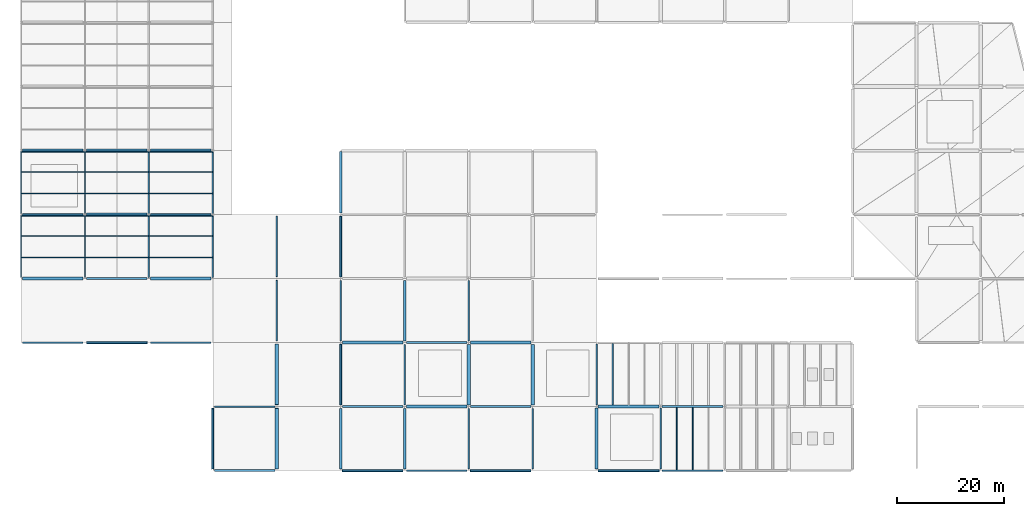
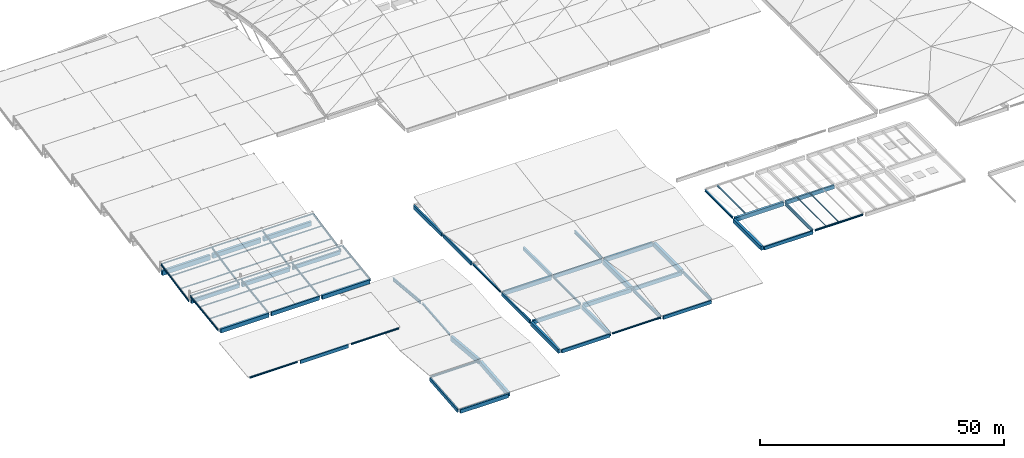
# One storey, part 7 of 23: 65 beams, 12 members.
"""IFC4 building model written with IfcOpenShell, lengths in metres."""

from ifc_helpers import new_model, si_unit, direction, frame, origin, origin_2d, place, context, subcontext, project, spatial, rectangle, i_section, extrude, material, material_profile, profile_set, type_object, element, save


model = new_model("IFC4")

# Units and contexts
model_context = context("Model", 3, precision=1e-05, world=origin(), true_north=direction((0.0, 1.0)))
body_context = subcontext(model_context, "Body", "Model", "MODEL_VIEW")
ifc_project = project(units=[si_unit("LENGTHUNIT", "METRE"), si_unit("AREAUNIT", "SQUARE_METRE"), si_unit("VOLUMEUNIT", "CUBIC_METRE"), si_unit("PLANEANGLEUNIT", "RADIAN"), si_unit("MASSUNIT", "GRAM", prefix="KILO")], contexts=[model_context])

# Site, building, storey
site_placement = place(None, origin())
site = spatial("IfcSite", under=ifc_project, at=site_placement, CompositionType="ELEMENT")
building_placement = place(site_placement, origin())
building = spatial("IfcBuilding", under=site, at=building_placement, Name="Kamomehara Wholesale Market", CompositionType="ELEMENT")
storey_placement = place(building_placement, frame((0.0, 0.0, 21.0)))
storey = spatial("IfcBuildingStorey", under=building, at=storey_placement, Name="RF", CompositionType="ELEMENT", Elevation=21.0)

# Beams
ifc_material_1 = material(Name="Precast concrete Fc45 (C40/50)", Category="concrete")
ifc_material_profile_1 = material_profile(ifc_material_1, rectangle(XDim=0.5, YDim=1.0, at=origin_2d()), Name="PC-GRD-500x1000")
ifc_profile_set_1 = profile_set([ifc_material_profile_1], Name="Precast concrete Fc45 (C40/50)")
beam_type_1 = type_object("IfcBeamType", Name="BM-PG1000", PredefinedType="T_BEAM", material=ifc_profile_set_1)
beam_1_placement = place(storey_placement, frame((72.0, 12.324951171875, -9.699951171875), z_axis=(0.0, 1.0, 0.0), x_axis=(-1.0, 0.0, 0.0)))
element("IfcBeam", 1, at=beam_1_placement, inside=storey, type_object=beam_type_1, Name="Beam PG-09 RF", PredefinedType="T_BEAM", context=body_context, shape_type="SweptSolid", body=[
    extrude(rectangle(XDim=0.5, YDim=1.0, at=origin_2d()), origin(), (0.0, 0.0, 1.0), 11.35009765625),
])
ifc_material_2 = material(Name="Precast concrete Fc45 (C40/50)", Category="concrete")
ifc_material_profile_2 = material_profile(ifc_material_2, rectangle(XDim=0.550048828125, YDim=1.050048828125, at=origin_2d()), Name="PC-GRD-550x1050")
ifc_profile_set_2 = profile_set([ifc_material_profile_2], Name="Precast concrete Fc45 (C40/50)")
beam_type_2 = type_object("IfcBeamType", Name="BM-PG1050", PredefinedType="T_BEAM", material=ifc_profile_set_2)
beam_2_placement = place(storey_placement, frame((24.340087890625, 72.0, -5.324951171875), z_axis=(1.0, 0.0, 0.0), x_axis=(0.0, 1.0, 0.0)))
element("IfcBeam", 2, at=beam_2_placement, inside=storey, type_object=beam_type_2, Name="Beam PG-08 RF", PredefinedType="T_BEAM", context=body_context, shape_type="SweptSolid", body=[
    extrude(rectangle(XDim=0.550048828125, YDim=1.050048828125, at=origin_2d()), origin(), (0.0, 0.0, 1.0), 11.31982421875),
])
ifc_material_3 = material(Name="Precast concrete Fc45 (C40/50)", Category="concrete")
ifc_material_profile_3 = material_profile(ifc_material_3, rectangle(XDim=0.60009765625, YDim=1.10009765625, at=origin_2d()), Name="PC-GRD-600x1100")
ifc_profile_set_3 = profile_set([ifc_material_profile_3], Name="Precast concrete Fc45 (C40/50)")
beam_type_3 = type_object("IfcBeamType", Name="BM-PG1100", PredefinedType="T_BEAM", material=ifc_profile_set_3)
beam_3_placement = place(storey_placement, frame((48.0, 12.324951171875, -16.337890625), z_axis=(0.0, 0.995749772645, 0.092099892931), x_axis=(-1.0, 0.0, 0.0)))
element("IfcBeam", 3, at=beam_3_placement, inside=storey, type_object=beam_type_3, Name="Beam PG-07 RF", PredefinedType="T_BEAM", context=body_context, shape_type="SweptSolid", body=[
    extrude(rectangle(XDim=0.60009765625, YDim=1.10009765625, at=origin_2d()), origin(), (0.0, 0.0, 1.0), 11.3984375),
])
beam_4_placement = place(storey_placement, frame((96.0, 24.324951171875, -9.75), z_axis=(0.0, 1.0, 0.0), x_axis=(-1.0, 0.0, 0.0)))
element("IfcBeam", 4, at=beam_4_placement, inside=storey, type_object=beam_type_3, Name="Beam PG-07 RF", PredefinedType="T_BEAM", context=body_context, shape_type="SweptSolid", body=[
    extrude(rectangle(XDim=0.60009765625, YDim=1.10009765625, at=origin_2d()), origin(), (0.0, 0.0, 1.0), 11.35009765625),
])
beam_5_placement = place(storey_placement, frame((12.340087890625, 72.0, -5.35009765625), z_axis=(1.0, 0.0, 0.0), x_axis=(0.0, 1.0, 0.0)))
element("IfcBeam", 5, at=beam_5_placement, inside=storey, type_object=beam_type_3, Name="Beam PG-07 RF", PredefinedType="T_BEAM", context=body_context, shape_type="SweptSolid", body=[
    extrude(rectangle(XDim=0.60009765625, YDim=1.10009765625, at=origin_2d()), origin(), (0.0, 0.0, 1.0), 11.31982421875),
])
ifc_material_4 = material(Name="Precast concrete Fc45 (C40/50)", Category="concrete")
ifc_material_profile_4 = material_profile(ifc_material_4, rectangle(XDim=0.580078125, YDim=1.179931640625, at=origin_2d()), Name="PC-GRD-580x1180")
ifc_profile_set_4 = profile_set([ifc_material_profile_4], Name="Precast concrete Fc45 (C40/50)")
beam_type_4 = type_object("IfcBeamType", Name="BM-PG1180", PredefinedType="T_BEAM", material=ifc_profile_set_4)
beam_6_placement = place(storey_placement, frame((0.340087890625, 72.0, -5.389892578125), z_axis=(1.0, 0.0, 0.0), x_axis=(0.0, 1.0, 0.0)))
element("IfcBeam", 6, at=beam_6_placement, inside=storey, type_object=beam_type_4, Name="Beam PG-14 RF", PredefinedType="T_BEAM", context=body_context, shape_type="SweptSolid", body=[
    extrude(rectangle(XDim=0.580078125, YDim=1.179931640625, at=origin_2d()), origin(), (0.0, 0.0, 1.0), 11.31982421875),
])
ifc_material_5 = material(Name="Precast concrete Fc45 (C40/50)", Category="concrete")
ifc_material_profile_5 = material_profile(ifc_material_5, rectangle(XDim=0.60009765625, YDim=1.199951171875, at=origin_2d()), Name="PC-GRD-600x1200")
ifc_profile_set_5 = profile_set([ifc_material_profile_5], Name="Precast concrete Fc45 (C40/50)")
beam_type_5 = type_object("IfcBeamType", Name="BM-PG1200", PredefinedType="T_BEAM", material=ifc_profile_set_5)
beam_7_placement = place(storey_placement, frame((48.0, 24.324951171875, -15.3369140625), z_axis=(0.0, 0.995747808157, -0.092121129767), x_axis=(-1.0, 0.0, 0.0)))
element("IfcBeam", 7, at=beam_7_placement, inside=storey, type_object=beam_type_5, Name="Beam PG-05 RF", PredefinedType="T_BEAM", context=body_context, shape_type="SweptSolid", body=[
    extrude(rectangle(XDim=0.60009765625, YDim=1.199951171875, at=origin_2d()), origin(), (0.0, 0.0, 1.0), 11.398681640625),
])
ifc_material_6 = material(Name="Precast concrete Fc45 (C40/50)", Category="concrete")
ifc_material_profile_6 = material_profile(ifc_material_6, rectangle(XDim=0.64990234375, YDim=1.25, at=origin_2d()), Name="PC-GRD-650x1250")
ifc_profile_set_6 = profile_set([ifc_material_profile_6], Name="Precast concrete Fc45 (C40/50)")
beam_type_6 = type_object("IfcBeamType", Name="BM-PG1250", PredefinedType="T_BEAM", material=ifc_profile_set_6)
beam_8_placement = place(storey_placement, frame((84.0, 24.324951171875, -9.824951171875), z_axis=(0.0, 1.0, 0.0), x_axis=(-1.0, 0.0, 0.0)))
element("IfcBeam", 8, at=beam_8_placement, inside=storey, type_object=beam_type_6, Name="Beam PG-04 RF", PredefinedType="T_BEAM", context=body_context, shape_type="SweptSolid", body=[
    extrude(rectangle(XDim=0.64990234375, YDim=1.25, at=origin_2d()), origin(), (0.0, 0.0, 1.0), 11.35009765625),
])
ifc_material_7 = material(Name="Precast concrete Fc45 (C40/50)", Category="concrete")
ifc_material_profile_7 = material_profile(ifc_material_7, rectangle(XDim=0.449951171875, YDim=0.85009765625, at=origin_2d()), Name="PC-GRD-450x850")
ifc_profile_set_7 = profile_set([ifc_material_profile_7], Name="Precast concrete Fc45 (C40/50)")
beam_type_7 = type_object("IfcBeamType", Name="BM-PG850", PredefinedType="T_BEAM", material=ifc_profile_set_7)
beam_9_placement = place(storey_placement, frame((72.0, 36.324951171875, -9.625), z_axis=(0.0, 1.0, 0.0), x_axis=(-1.0, 0.0, 0.0)))
element("IfcBeam", 9, at=beam_9_placement, inside=storey, type_object=beam_type_7, Name="Beam PG-11 RF", PredefinedType="T_BEAM", context=body_context, shape_type="SweptSolid", body=[
    extrude(rectangle(XDim=0.449951171875, YDim=0.85009765625, at=origin_2d()), origin(), (0.0, 0.0, 1.0), 11.35009765625),
])
ifc_material_8 = material(Name="Concrete Fc36 (C35/45)", Category="concrete")
ifc_material_profile_8 = material_profile(ifc_material_8, rectangle(XDim=0.550048828125, YDim=1.0, at=origin_2d()), Name="RC-SEB-550x1000")
ifc_profile_set_8 = profile_set([ifc_material_profile_8], Name="Concrete Fc36 (C35/45)")
beam_type_8 = type_object("IfcBeamType", Name="BM-SEB1000-EXT", PredefinedType="SPANDREL", material=ifc_profile_set_8)
for number, where, z_axis, x_axis, name in (
    (10, (60.0, 12.324951171875, -9.699951171875), (0.0, 1.0, 0.0), (-1.0, 0.0, 0.0), "Beam SEB-03E RF"),
    (11, (72.324951171875, 24.0, -9.699951171875), (1.0, 0.0, 0.0), (0.0, 1.0, 0.0), "Beam SEB-03E RF"),
    (12, (60.324951171875, 36.0, -9.699951171875), (1.0, 0.0, 0.0), (0.0, 1.0, 0.0), "Beam SEB-03E RF"),
    (13, (84.324951171875, 36.0, -9.699951171875), (1.0, 0.0, 0.0), (0.0, 1.0, 0.0), "Beam SEB-03E RF"),
):
    element("IfcBeam", number, at=place(storey_placement, frame(where, z_axis=z_axis, x_axis=x_axis)), inside=storey, type_object=beam_type_8, Name=name, PredefinedType="SPANDREL", context=body_context, shape_type="SweptSolid", body=[
        extrude(rectangle(XDim=0.550048828125, YDim=1.0, at=origin_2d()), origin(), (0.0, 0.0, 1.0), 11.35009765625),
    ])
for number, where, z_axis, x_axis, name in (
    (14, (0.340087890625, 48.0, -5.300048828125), (1.0, 0.0, 0.0), (0.0, 1.0, 0.0), "Beam SEB-03E RF"),
    (15, (24.340087890625, 48.0, -5.300048828125), (1.0, 0.0, 0.0), (0.0, 1.0, 0.0), "Beam SEB-03E RF"),
    (16, (12.340087890625, 60.0, -5.300048828125), (1.0, 0.0, 0.0), (0.0, 1.0, 0.0), "Beam SEB-03E RF"),
):
    element("IfcBeam", number, at=place(storey_placement, frame(where, z_axis=z_axis, x_axis=x_axis)), inside=storey, type_object=beam_type_8, Name=name, PredefinedType="SPANDREL", context=body_context, shape_type="SweptSolid", body=[
        extrude(rectangle(XDim=0.550048828125, YDim=1.0, at=origin_2d()), origin(), (0.0, 0.0, 1.0), 11.31982421875),
    ])
for number, where, z_axis, x_axis, name in (
    (17, (108.0, 12.2900390625, -0.721923828125), (0.0, 1.0, 0.0), (-1.0, 0.0, 0.0), "Beam SEB-03E RF"),
    (18, (108.2900390625, 24.0, -0.721923828125), (1.0, 0.0, 0.0), (0.0, 1.0, 0.0), "Beam SEB-03E RF"),
):
    element("IfcBeam", number, at=place(storey_placement, frame(where, z_axis=z_axis, x_axis=x_axis)), inside=storey, type_object=beam_type_8, Name=name, PredefinedType="SPANDREL", context=body_context, shape_type="SweptSolid", body=[
        extrude(rectangle(XDim=0.550048828125, YDim=1.0, at=origin_2d()), origin(), (0.0, 0.0, 1.0), 11.419921875),
    ])
ifc_material_9 = material(Name="Precast concrete Fc45 (C40/50)", Category="concrete")
ifc_material_profile_9 = material_profile(ifc_material_9, rectangle(XDim=0.35009765625, YDim=0.85009765625, at=origin_2d()), Name="PC-SPN-350x850")
ifc_profile_set_9 = profile_set([ifc_material_profile_9], Name="Precast concrete Fc45 (C40/50)")
beam_type_9 = type_object("IfcBeamType", Name="BM-SPN850-EXT", PredefinedType="SPANDREL", material=ifc_profile_set_9)
beam_10_placement = place(storey_placement, frame((36.0, 12.324951171875, -16.212890625), z_axis=(0.0, 0.995749772645, 0.092099892931), x_axis=(-1.0, 0.0, 0.0)))
element("IfcBeam", 19, at=beam_10_placement, inside=storey, type_object=beam_type_9, Name="Beam SPN-02E RF", PredefinedType="SPANDREL", context=body_context, shape_type="SweptSolid", body=[
    extrude(rectangle(XDim=0.35009765625, YDim=0.85009765625, at=origin_2d()), origin(), (0.0, 0.0, 1.0), 11.3984375),
])
for number, where, z_axis, x_axis, name in (
    (20, (60.324951171875, 12.0, -9.625), (1.0, 0.0, 0.0), (0.0, 1.0, 0.0), "Beam SPN-02E RF"),
    (21, (84.324951171875, 12.0, -9.625), (1.0, 0.0, 0.0), (0.0, 1.0, 0.0), "Beam SPN-02E RF"),
    (22, (60.0, 24.324951171875, -9.625), (0.0, 1.0, 0.0), (-1.0, 0.0, 0.0), "Beam SPN-02E RF"),
    (23, (12.324951171875, 36.0, -10.02490234375), (1.0, 0.0, 0.0), (0.0, 1.0, 0.0), "Beam SPN-02E RF"),
    (24, (60.0, 48.324951171875, -9.625), (0.0, 1.0, 0.0), (-1.0, 0.0, 0.0), "Beam SPN-02E RF"),
):
    element("IfcBeam", number, at=place(storey_placement, frame(where, z_axis=z_axis, x_axis=x_axis)), inside=storey, type_object=beam_type_9, Name=name, PredefinedType="SPANDREL", context=body_context, shape_type="SweptSolid", body=[
        extrude(rectangle(XDim=0.35009765625, YDim=0.85009765625, at=origin_2d()), origin(), (0.0, 0.0, 1.0), 11.35009765625),
    ])
beam_11_placement = place(storey_placement, frame((108.2900390625, 12.0, -0.64697265625), z_axis=(1.0, 0.0, 0.0), x_axis=(0.0, 1.0, 0.0)))
element("IfcBeam", 25, at=beam_11_placement, inside=storey, type_object=beam_type_9, Name="Beam SPN-02E RF", PredefinedType="SPANDREL", context=body_context, shape_type="SweptSolid", body=[
    extrude(rectangle(XDim=0.35009765625, YDim=0.85009765625, at=origin_2d()), origin(), (0.0, 0.0, 1.0), 11.419921875),
])
ifc_material_10 = material(Name="Precast concrete Fc45 (C40/50)", Category="concrete")
ifc_material_profile_10 = material_profile(ifc_material_10, rectangle(XDim=0.39990234375, YDim=0.949951171875, at=origin_2d()), Name="PC-SPN-400x950")
ifc_profile_set_10 = profile_set([ifc_material_profile_10], Name="Precast concrete Fc45 (C40/50)")
beam_type_10 = type_object("IfcBeamType", Name="BM-SPN950-EXT", PredefinedType="SPANDREL", material=ifc_profile_set_10)
for number, where, z_axis, x_axis, name in (
    (26, (36.324951171875, 12.0, -16.264892578125), (1.0, 0.0, 0.0), (0.0, 1.0, 0.0), "Beam SPN-01E RF"),
    (27, (60.324951171875, 24.0, -9.675048828125), (1.0, 0.0, 0.0), (0.0, 1.0, 0.0), "Beam SPN-01E RF"),
    (28, (84.324951171875, 24.0, -9.675048828125), (1.0, 0.0, 0.0), (0.0, 1.0, 0.0), "Beam SPN-01E RF"),
    (29, (72.324951171875, 36.0, -9.675048828125), (1.0, 0.0, 0.0), (0.0, 1.0, 0.0), "Beam SPN-01E RF"),
):
    element("IfcBeam", number, at=place(storey_placement, frame(where, z_axis=z_axis, x_axis=x_axis)), inside=storey, type_object=beam_type_10, Name=name, PredefinedType="SPANDREL", context=body_context, shape_type="SweptSolid", body=[
        extrude(rectangle(XDim=0.39990234375, YDim=0.949951171875, at=origin_2d()), origin(), (0.0, 0.0, 1.0), 11.35009765625),
    ])
beam_12_placement = place(storey_placement, frame((60.0, 60.324951171875, -9.675048828125), z_axis=(0.0, 1.0, 0.0), x_axis=(-1.0, 0.0, 0.0)))
element("IfcBeam", 30, at=beam_12_placement, inside=storey, type_object=beam_type_10, Name="Beam SPN-01E RF", PredefinedType="SPANDREL", context=body_context, shape_type="SweptSolid", body=[
    extrude(rectangle(XDim=0.39990234375, YDim=0.949951171875, at=origin_2d()), origin(), (0.0, 0.0, 1.0), 11.550048828125),
])
for number, where, z_axis, x_axis, name in (
    (31, (12.340087890625, 48.0, -5.27490234375), (1.0, 0.0, 0.0), (0.0, 1.0, 0.0), "Beam SPN-01E RF"),
    (32, (0.340087890625, 60.0, -5.27490234375), (1.0, 0.0, 0.0), (0.0, 1.0, 0.0), "Beam SPN-01E RF"),
    (33, (24.340087890625, 60.0, -5.27490234375), (1.0, 0.0, 0.0), (0.0, 1.0, 0.0), "Beam SPN-01E RF"),
):
    element("IfcBeam", number, at=place(storey_placement, frame(where, z_axis=z_axis, x_axis=x_axis)), inside=storey, type_object=beam_type_10, Name=name, PredefinedType="SPANDREL", context=body_context, shape_type="SweptSolid", body=[
        extrude(rectangle(XDim=0.39990234375, YDim=0.949951171875, at=origin_2d()), origin(), (0.0, 0.0, 1.0), 11.31982421875),
    ])
beam_13_placement = place(storey_placement, frame((120.2900390625, 24.0, -0.697021484375), z_axis=(1.0, 0.0, 0.0), x_axis=(0.0, 1.0, 0.0)))
element("IfcBeam", 34, at=beam_13_placement, inside=storey, type_object=beam_type_10, Name="Beam SPN-01E RF", PredefinedType="SPANDREL", context=body_context, shape_type="SweptSolid", body=[
    extrude(rectangle(XDim=0.39990234375, YDim=0.949951171875, at=origin_2d()), origin(), (0.0, 0.0, 1.0), 11.419921875),
])
ifc_material_11 = material(Name="Steel SN400B", Category="steel")
ifc_material_profile_11 = material_profile(ifc_material_11, i_section(OverallWidth=0.175048828125, OverallDepth=0.243896484375, WebThickness=0.007080078125, FlangeThickness=0.010986328125, FilletRadius=0.010986328125, at=origin_2d()), Name="H-244x175x7x11")
ifc_profile_set_11 = profile_set([ifc_material_profile_11], Name="Steel SN400B")
beam_type_11 = type_object("IfcBeamType", Name="BM-ST-H244", PredefinedType="JOIST", material=ifc_profile_set_11)
beam_14_placement = place(storey_placement, frame((126.0, 12.14990234375, -0.343994140625), z_axis=(0.0, 1.0, 0.0), x_axis=(-1.0, 0.0, 0.0)))
element("IfcBeam", 35, at=beam_14_placement, inside=storey, type_object=beam_type_11, Name="Beam SJ-10 RF", PredefinedType="JOIST", context=body_context, shape_type="SweptSolid", body=[
    extrude(i_section(OverallWidth=0.175048828125, OverallDepth=0.243896484375, WebThickness=0.007080078125, FlangeThickness=0.010986328125, FilletRadius=0.010986328125, at=origin_2d()), origin(), (0.0, 0.0, 1.0), 11.650146484375),
])
ifc_material_12 = material(Name="Steel SN400B", Category="steel")
ifc_material_profile_12 = material_profile(ifc_material_12, i_section(OverallWidth=0.125, OverallDepth=0.25, WebThickness=0.006103515625, FlangeThickness=0.009033203125, FilletRadius=0.008056640625, at=origin_2d()), Name="H-250x125x6x9")
ifc_profile_set_12 = profile_set([ifc_material_profile_12], Name="Steel SN400B")
beam_type_12 = type_object("IfcBeamType", Name="BM-ST-H250", PredefinedType="JOIST", material=ifc_profile_set_12)
beam_15_placement = place(storey_placement, frame((123.0, 12.14990234375, -0.346923828125), z_axis=(0.0, 1.0, 0.0), x_axis=(-1.0, 0.0, 0.0)))
element("IfcBeam", 36, at=beam_15_placement, inside=storey, type_object=beam_type_12, Name="Beam SJ-06 RF", PredefinedType="JOIST", context=body_context, shape_type="SweptSolid", body=[
    extrude(i_section(OverallWidth=0.125, OverallDepth=0.25, WebThickness=0.006103515625, FlangeThickness=0.009033203125, FilletRadius=0.008056640625, at=origin_2d()), origin(), (0.0, 0.0, 1.0), 11.650146484375),
])
ifc_material_13 = material(Name="Steel SN400B", Category="steel")
ifc_material_profile_13 = material_profile(ifc_material_13, i_section(OverallWidth=0.14990234375, OverallDepth=0.300048828125, WebThickness=0.006591796875, FlangeThickness=0.009033203125, FilletRadius=0.012939453125, at=origin_2d()), Name="H-300x150x6.5x9")
ifc_profile_set_13 = profile_set([ifc_material_profile_13], Name="Steel SN400B")
beam_type_13 = type_object("IfcBeamType", Name="BM-ST-H300", PredefinedType="JOIST", material=ifc_profile_set_13)
beam_16_placement = place(storey_placement, frame((0.0, 59.77001953125, -3.659912109375), z_axis=(1.0, 0.0, 0.0), x_axis=(0.0, 1.0, 0.0)))
element("IfcBeam", 37, at=beam_16_placement, inside=storey, type_object=beam_type_13, Name="Monitor steel ridge beam V3 1.1", PredefinedType="JOIST", context=body_context, shape_type="SweptSolid", body=[
    extrude(i_section(OverallWidth=0.14990234375, OverallDepth=0.300048828125, WebThickness=0.006591796875, FlangeThickness=0.009033203125, FilletRadius=0.012939453125, at=origin_2d()), origin(), (0.0, 0.0, 1.0), 11.97998046875),
])
beam_17_placement = place(storey_placement, frame((12.02001953125, 59.77001953125, -3.659912109375), z_axis=(1.0, 0.0, 0.0), x_axis=(0.0, 1.0, 0.0)))
element("IfcBeam", 38, at=beam_17_placement, inside=storey, type_object=beam_type_13, Name="Monitor steel ridge beam V3 1.2", PredefinedType="JOIST", context=body_context, shape_type="SweptSolid", body=[
    extrude(i_section(OverallWidth=0.14990234375, OverallDepth=0.300048828125, WebThickness=0.006591796875, FlangeThickness=0.009033203125, FilletRadius=0.012939453125, at=origin_2d()), origin(), (0.0, 0.0, 1.0), 11.9599609375),
])
for number, where, z_axis, x_axis, name in (
    (39, (24.02001953125, 59.77001953125, -3.659912109375), (1.0, 0.0, 0.0), (0.0, 1.0, 0.0), "Monitor steel ridge beam V3 1.3"),
    (40, (0.0, 71.77001953125, -2.9599609375), (1.0, 0.0, 0.0), (0.0, 1.0, 0.0), "Monitor steel ridge beam V3 2.1"),
):
    element("IfcBeam", number, at=place(storey_placement, frame(where, z_axis=z_axis, x_axis=x_axis)), inside=storey, type_object=beam_type_13, Name=name, PredefinedType="JOIST", context=body_context, shape_type="SweptSolid", body=[
        extrude(i_section(OverallWidth=0.14990234375, OverallDepth=0.300048828125, WebThickness=0.006591796875, FlangeThickness=0.009033203125, FilletRadius=0.012939453125, at=origin_2d()), origin(), (0.0, 0.0, 1.0), 11.97998046875),
    ])
beam_18_placement = place(storey_placement, frame((12.02001953125, 71.77001953125, -2.9599609375), z_axis=(1.0, 0.0, 0.0), x_axis=(0.0, 1.0, 0.0)))
element("IfcBeam", 41, at=beam_18_placement, inside=storey, type_object=beam_type_13, Name="Monitor steel ridge beam V3 2.2", PredefinedType="JOIST", context=body_context, shape_type="SweptSolid", body=[
    extrude(i_section(OverallWidth=0.14990234375, OverallDepth=0.300048828125, WebThickness=0.006591796875, FlangeThickness=0.009033203125, FilletRadius=0.012939453125, at=origin_2d()), origin(), (0.0, 0.0, 1.0), 11.9599609375),
])
beam_19_placement = place(storey_placement, frame((24.02001953125, 71.77001953125, -2.9599609375), z_axis=(1.0, 0.0, 0.0), x_axis=(0.0, 1.0, 0.0)))
element("IfcBeam", 42, at=beam_19_placement, inside=storey, type_object=beam_type_13, Name="Monitor steel ridge beam V3 2.3", PredefinedType="JOIST", context=body_context, shape_type="SweptSolid", body=[
    extrude(i_section(OverallWidth=0.14990234375, OverallDepth=0.300048828125, WebThickness=0.006591796875, FlangeThickness=0.009033203125, FilletRadius=0.012939453125, at=origin_2d()), origin(), (0.0, 0.0, 1.0), 11.97998046875),
])
ifc_material_14 = material(Name="Steel SN490B", Category="steel")
ifc_material_profile_14 = material_profile(ifc_material_14, i_section(OverallWidth=0.25, OverallDepth=0.340087890625, WebThickness=0.009033203125, FlangeThickness=0.013916015625, FilletRadius=0.012939453125, at=origin_2d()), Name="H-340x250x9x14")
ifc_profile_set_14 = profile_set([ifc_material_profile_14], Name="Steel SN490B")
beam_type_14 = type_object("IfcBeamType", Name="BM-ST-H340", PredefinedType="JOIST", material=ifc_profile_set_14)
beam_20_placement = place(storey_placement, frame((111.0, 24.27490234375, -0.39208984375), z_axis=(0.0, 1.0, 0.0), x_axis=(-1.0, 0.0, 0.0)))
element("IfcBeam", 43, at=beam_20_placement, inside=storey, type_object=beam_type_14, Name="Beam SJ-08 RF", PredefinedType="JOIST", context=body_context, shape_type="SweptSolid", body=[
    extrude(i_section(OverallWidth=0.25, OverallDepth=0.340087890625, WebThickness=0.009033203125, FlangeThickness=0.013916015625, FilletRadius=0.012939453125, at=origin_2d()), origin(), (0.0, 0.0, 1.0), 11.5751953125),
])
ifc_material_15 = material(Name="Steel SN490B", Category="steel")
ifc_material_profile_15 = material_profile(ifc_material_15, i_section(OverallWidth=0.300048828125, OverallDepth=0.389892578125, WebThickness=0.010009765625, FlangeThickness=0.01611328125, FilletRadius=0.01806640625, at=origin_2d()), Name="H-390x300x10x16")
ifc_profile_set_15 = profile_set([ifc_material_profile_15], Name="Steel SN490B")
beam_type_15 = type_object("IfcBeamType", Name="BM-ST-H390-EXT", PredefinedType="SPANDREL", material=ifc_profile_set_15)
for number, where, z_axis, x_axis, name in (
    (44, (36.324951171875, 24.0, -14.93505859375), (1.0, 0.0, 0.0), (0.0, 1.0, 0.0), "Beam SJ-03E RF"),
    (45, (72.324951171875, 12.0, -9.39501953125), (1.0, 0.0, 0.0), (0.0, 1.0, 0.0), "Beam SJ-03E RF"),
    (46, (0.324951171875, 36.0, -9.794921875), (1.0, 0.0, 0.0), (0.0, 1.0, 0.0), "Beam SJ-03E RF"),
    (47, (24.324951171875, 36.0, -9.794921875), (1.0, 0.0, 0.0), (0.0, 1.0, 0.0), "Beam SJ-03E RF"),
    (48, (60.0, 36.324951171875, -9.39501953125), (0.0, 1.0, 0.0), (-1.0, 0.0, 0.0), "Beam SJ-03E RF"),
):
    element("IfcBeam", number, at=place(storey_placement, frame(where, z_axis=z_axis, x_axis=x_axis)), inside=storey, type_object=beam_type_15, Name=name, PredefinedType="SPANDREL", context=body_context, shape_type="SweptSolid", body=[
        extrude(i_section(OverallWidth=0.300048828125, OverallDepth=0.389892578125, WebThickness=0.010009765625, FlangeThickness=0.01611328125, FilletRadius=0.01806640625, at=origin_2d()), origin(), (0.0, 0.0, 1.0), 11.35009765625),
    ])
for number, where, z_axis, x_axis, name in (
    (49, (120.2900390625, 12.0, -0.4169921875), (1.0, 0.0, 0.0), (0.0, 1.0, 0.0), "Beam SJ-03E RF"),
    (50, (108.0, 24.2900390625, -0.4169921875), (0.0, 1.0, 0.0), (-1.0, 0.0, 0.0), "Beam SJ-03E RF"),
):
    element("IfcBeam", number, at=place(storey_placement, frame(where, z_axis=z_axis, x_axis=x_axis)), inside=storey, type_object=beam_type_15, Name=name, PredefinedType="SPANDREL", context=body_context, shape_type="SweptSolid", body=[
        extrude(i_section(OverallWidth=0.300048828125, OverallDepth=0.389892578125, WebThickness=0.010009765625, FlangeThickness=0.01611328125, FilletRadius=0.01806640625, at=origin_2d()), origin(), (0.0, 0.0, 1.0), 11.419921875),
    ])
ifc_material_16 = material(Name="Steel SN490B", Category="steel")
ifc_material_profile_16 = material_profile(ifc_material_16, i_section(OverallWidth=0.300048828125, OverallDepth=0.43994140625, WebThickness=0.010986328125, FlangeThickness=0.01806640625, FilletRadius=0.01806640625, at=origin_2d()), Name="H-440x300x11x18")
ifc_profile_set_16 = profile_set([ifc_material_profile_16], Name="Steel SN490B")
beam_type_16 = type_object("IfcBeamType", Name="BM-ST-H440", PredefinedType="BEAM", material=ifc_profile_set_16)
beam_21_placement = place(storey_placement, frame((48.0, 36.324951171875, -16.009033203125), z_axis=(0.0, 0.995747808157, 0.092121129767), x_axis=(-1.0, 0.0, 0.0)))
element("IfcBeam", 51, at=beam_21_placement, inside=storey, type_object=beam_type_16, Name="Beam SG-11 RF", PredefinedType="BEAM", context=body_context, shape_type="SweptSolid", body=[
    extrude(i_section(OverallWidth=0.300048828125, OverallDepth=0.43994140625, WebThickness=0.010986328125, FlangeThickness=0.01806640625, FilletRadius=0.01806640625, at=origin_2d()), origin(), (0.0, 0.0, 1.0), 11.398681640625),
])
beam_22_placement = place(storey_placement, frame((72.0, 24.324951171875, -9.419921875), z_axis=(0.0, 1.0, 0.0), x_axis=(-1.0, 0.0, 0.0)))
element("IfcBeam", 52, at=beam_22_placement, inside=storey, type_object=beam_type_16, Name="Beam SG-11 RF", PredefinedType="BEAM", context=body_context, shape_type="SweptSolid", body=[
    extrude(i_section(OverallWidth=0.300048828125, OverallDepth=0.43994140625, WebThickness=0.010986328125, FlangeThickness=0.01806640625, FilletRadius=0.01806640625, at=origin_2d()), origin(), (0.0, 0.0, 1.0), 11.35009765625),
])
ifc_material_17 = material(Name="Steel SN490B", Category="steel")
ifc_material_profile_17 = material_profile(ifc_material_17, i_section(OverallWidth=0.199951171875, OverallDepth=0.5, WebThickness=0.010009765625, FlangeThickness=0.01611328125, FilletRadius=0.012939453125, at=origin_2d()), Name="H-500x200x10x16")
ifc_profile_set_17 = profile_set([ifc_material_profile_17], Name="Steel SN490B")
beam_type_17 = type_object("IfcBeamType", Name="BM-ST-H500", PredefinedType="BEAM", material=ifc_profile_set_17)
for number, where, z_axis, x_axis, name in (
    (53, (0.0, 48.199951171875, -5.260009765625), (0.0, 0.990425667842, 0.138047080665), (-1.0, 0.0, 0.0), "Monitor steel rafter V3 1.0"),
    (54, (12.0, 48.199951171875, -5.260009765625), (0.0, 0.990425667842, 0.138047080665), (-1.0, 0.0, 0.0), "Monitor steel rafter V3 1.12"),
    (55, (24.0, 48.199951171875, -5.260009765625), (0.0, 0.990425667842, 0.138047080665), (-1.0, 0.0, 0.0), "Monitor steel rafter V3 1.24"),
    (56, (36.0, 48.199951171875, -5.260009765625), (0.0, 0.990425667842, 0.138047080665), (-1.0, 0.0, 0.0), "Monitor steel rafter V3 1.36"),
):
    element("IfcBeam", number, at=place(storey_placement, frame(where, z_axis=z_axis, x_axis=x_axis)), inside=storey, type_object=beam_type_17, Name=name, PredefinedType="BEAM", context=body_context, shape_type="SweptSolid", body=[
        extrude(i_section(OverallWidth=0.199951171875, OverallDepth=0.5, WebThickness=0.010009765625, FlangeThickness=0.01611328125, FilletRadius=0.012939453125, at=origin_2d()), origin(), (0.0, 0.0, 1.0), 11.591064453125),
    ])
for number, where, z_axis, x_axis, name in (
    (57, (0.0, 60.199951171875, -5.260009765625), (0.0, 0.980514052437, 0.19644895768), (-1.0, 0.0, 0.0), "Monitor steel rafter V3 2.0"),
    (58, (12.0, 60.199951171875, -5.260009765625), (0.0, 0.980514052437, 0.19644895768), (-1.0, 0.0, 0.0), "Monitor steel rafter V3 2.12"),
    (59, (24.0, 60.199951171875, -5.260009765625), (0.0, 0.980514052437, 0.19644895768), (-1.0, 0.0, 0.0), "Monitor steel rafter V3 2.24"),
    (60, (36.0, 60.199951171875, -5.260009765625), (0.0, 0.980514052437, 0.19644895768), (-1.0, 0.0, 0.0), "Monitor steel rafter V3 2.36"),
):
    element("IfcBeam", number, at=place(storey_placement, frame(where, z_axis=z_axis, x_axis=x_axis)), inside=storey, type_object=beam_type_17, Name=name, PredefinedType="BEAM", context=body_context, shape_type="SweptSolid", body=[
        extrude(i_section(OverallWidth=0.199951171875, OverallDepth=0.5, WebThickness=0.010009765625, FlangeThickness=0.01611328125, FilletRadius=0.012939453125, at=origin_2d()), origin(), (0.0, 0.0, 1.0), 11.7080078125),
    ])
ifc_material_18 = material(Name="Steel SN490B", Category="steel")
ifc_material_profile_18 = material_profile(ifc_material_18, i_section(OverallWidth=0.300048828125, OverallDepth=0.7919921875, WebThickness=0.013916015625, FlangeThickness=0.02197265625, FilletRadius=0.02392578125, at=origin_2d()), Name="H-792x300x14x22")
ifc_profile_set_18 = profile_set([ifc_material_profile_18], Name="Steel SN490B")
beam_type_18 = type_object("IfcBeamType", Name="BM-ST-H792", PredefinedType="BEAM", material=ifc_profile_set_18)
beam_23_placement = place(storey_placement, frame((48.0, 48.324951171875, -15.134033203125), z_axis=(0.0, 0.995747808157, -0.092121129767), x_axis=(-1.0, 0.0, 0.0)))
element("IfcBeam", 61, at=beam_23_placement, inside=storey, type_object=beam_type_18, Name="Beam SG-09 RF", PredefinedType="BEAM", context=body_context, shape_type="SweptSolid", body=[
    extrude(i_section(OverallWidth=0.300048828125, OverallDepth=0.7919921875, WebThickness=0.013916015625, FlangeThickness=0.02197265625, FilletRadius=0.02392578125, at=origin_2d()), origin(), (0.0, 0.0, 1.0), 11.398681640625),
])
beam_24_placement = place(storey_placement, frame((96.0, 12.324951171875, -9.595947265625), z_axis=(0.0, 1.0, 0.0), x_axis=(-1.0, 0.0, 0.0)))
element("IfcBeam", 62, at=beam_24_placement, inside=storey, type_object=beam_type_18, Name="Beam SG-09 RF", PredefinedType="BEAM", context=body_context, shape_type="SweptSolid", body=[
    extrude(i_section(OverallWidth=0.300048828125, OverallDepth=0.7919921875, WebThickness=0.013916015625, FlangeThickness=0.02197265625, FilletRadius=0.02392578125, at=origin_2d()), origin(), (0.0, 0.0, 1.0), 11.35009765625),
])
beam_25_placement = place(storey_placement, frame((120.0, 12.2900390625, -0.617919921875), z_axis=(0.0, 1.0, 0.0), x_axis=(-1.0, 0.0, 0.0)))
element("IfcBeam", 63, at=beam_25_placement, inside=storey, type_object=beam_type_18, Name="Beam SG-09 RF", PredefinedType="BEAM", context=body_context, shape_type="SweptSolid", body=[
    extrude(i_section(OverallWidth=0.300048828125, OverallDepth=0.7919921875, WebThickness=0.013916015625, FlangeThickness=0.02197265625, FilletRadius=0.02392578125, at=origin_2d()), origin(), (0.0, 0.0, 1.0), 11.419921875),
])
ifc_material_19 = material(Name="Steel SN490B", Category="steel")
ifc_material_profile_19 = material_profile(ifc_material_19, i_section(OverallWidth=0.300048828125, OverallDepth=0.800048828125, WebThickness=0.013916015625, FlangeThickness=0.02587890625, FilletRadius=0.02392578125, at=origin_2d()), Name="H-800x300x14x26")
ifc_profile_set_19 = profile_set([ifc_material_profile_19], Name="Steel SN490B")
beam_type_19 = type_object("IfcBeamType", Name="BM-ST-H800", PredefinedType="BEAM", material=ifc_profile_set_19)
beam_26_placement = place(storey_placement, frame((84.0, 36.324951171875, -9.60009765625), z_axis=(0.0, 1.0, 0.0), x_axis=(-1.0, 0.0, 0.0)))
element("IfcBeam", 64, at=beam_26_placement, inside=storey, type_object=beam_type_19, Name="Beam SG-02 RF", PredefinedType="BEAM", context=body_context, shape_type="SweptSolid", body=[
    extrude(i_section(OverallWidth=0.300048828125, OverallDepth=0.800048828125, WebThickness=0.013916015625, FlangeThickness=0.02587890625, FilletRadius=0.02392578125, at=origin_2d()), origin(), (0.0, 0.0, 1.0), 11.35009765625),
])
ifc_material_20 = material(Name="Steel SN490B", Category="steel")
ifc_material_profile_20 = material_profile(ifc_material_20, i_section(OverallWidth=0.300048828125, OverallDepth=0.89990234375, WebThickness=0.01611328125, FlangeThickness=0.028076171875, FilletRadius=0.02392578125, at=origin_2d()), Name="H-900x300x16x28")
ifc_profile_set_20 = profile_set([ifc_material_profile_20], Name="Steel SN490B")
beam_type_20 = type_object("IfcBeamType", Name="BM-ST-H900", PredefinedType="BEAM", material=ifc_profile_set_20)
beam_27_placement = place(storey_placement, frame((84.0, 12.324951171875, -9.64990234375), z_axis=(0.0, 1.0, 0.0), x_axis=(-1.0, 0.0, 0.0)))
element("IfcBeam", 65, at=beam_27_placement, inside=storey, type_object=beam_type_20, Name="Beam SG-01 RF", PredefinedType="BEAM", context=body_context, shape_type="SweptSolid", body=[
    extrude(i_section(OverallWidth=0.300048828125, OverallDepth=0.89990234375, WebThickness=0.01611328125, FlangeThickness=0.028076171875, FilletRadius=0.02392578125, at=origin_2d()), origin(), (0.0, 0.0, 1.0), 11.35009765625),
])

# Members
ifc_material_21 = material(Name="Steel SN400B", Category="steel")
ifc_material_profile_21 = material_profile(ifc_material_21, i_section(OverallWidth=0.10009765625, OverallDepth=0.199951171875, WebThickness=0.005615234375, FlangeThickness=0.008056640625, FilletRadius=0.008056640625, at=origin_2d()), Name="H-200x100x5.5x8")
ifc_profile_set_21 = profile_set([ifc_material_profile_21], Name="Steel SN400B")
member_type = type_object("IfcMemberType", Name="MEM-PR-H200", PredefinedType="PURLIN", material=ifc_profile_set_21)
for number, where, z_axis, x_axis, name in (
    (66, (0.0, 52.0, -4.70703125), (1.0, 0.0, 0.0), (0.0, 1.0, 0.0), "Monitor steel purlin V3 1.1.0"),
    (67, (12.0, 52.0, -4.70703125), (1.0, 0.0, 0.0), (0.0, 1.0, 0.0), "Monitor steel purlin V3 1.1.12"),
    (68, (24.0, 52.0, -4.70703125), (1.0, 0.0, 0.0), (0.0, 1.0, 0.0), "Monitor steel purlin V3 1.1.24"),
    (69, (0.0, 56.0, -4.173095703125), (1.0, 0.0, 0.0), (0.0, 1.0, 0.0), "Monitor steel purlin V3 1.2.0"),
    (70, (12.0, 56.0, -4.173095703125), (1.0, 0.0, 0.0), (0.0, 1.0, 0.0), "Monitor steel purlin V3 1.2.12"),
    (71, (24.0, 56.0, -4.173095703125), (1.0, 0.0, 0.0), (0.0, 1.0, 0.0), "Monitor steel purlin V3 1.2.24"),
    (72, (0.0, 64.0, -4.472900390625), (1.0, 0.0, 0.0), (0.0, 1.0, 0.0), "Monitor steel purlin V3 2.1.0"),
    (73, (12.0, 64.0, -4.472900390625), (1.0, 0.0, 0.0), (0.0, 1.0, 0.0), "Monitor steel purlin V3 2.1.12"),
    (74, (24.0, 64.0, -4.472900390625), (1.0, 0.0, 0.0), (0.0, 1.0, 0.0), "Monitor steel purlin V3 2.1.24"),
    (75, (0.0, 68.0, -3.70703125), (1.0, 0.0, 0.0), (0.0, 1.0, 0.0), "Monitor steel purlin V3 2.2.0"),
    (76, (12.0, 68.0, -3.70703125), (1.0, 0.0, 0.0), (0.0, 1.0, 0.0), "Monitor steel purlin V3 2.2.12"),
    (77, (24.0, 68.0, -3.70703125), (1.0, 0.0, 0.0), (0.0, 1.0, 0.0), "Monitor steel purlin V3 2.2.24"),
):
    element("IfcMember", number, at=place(storey_placement, frame(where, z_axis=z_axis, x_axis=x_axis)), inside=storey, type_object=member_type, Name=name, PredefinedType="PURLIN", context=body_context, shape_type="SweptSolid", body=[
        extrude(i_section(OverallWidth=0.10009765625, OverallDepth=0.199951171875, WebThickness=0.005615234375, FlangeThickness=0.008056640625, FilletRadius=0.008056640625, at=origin_2d()), origin(), (0.0, 0.0, 1.0), 12.0),
    ])

save(model, "model.ifc")
